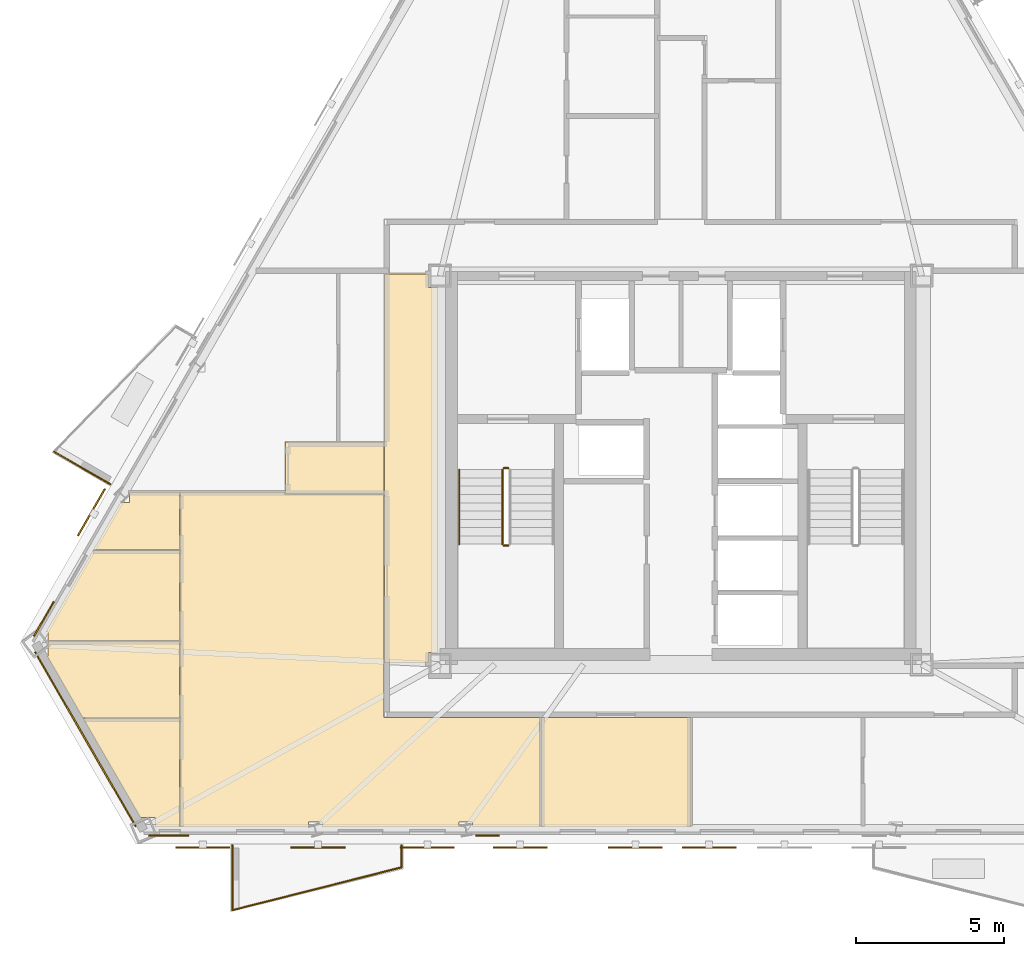
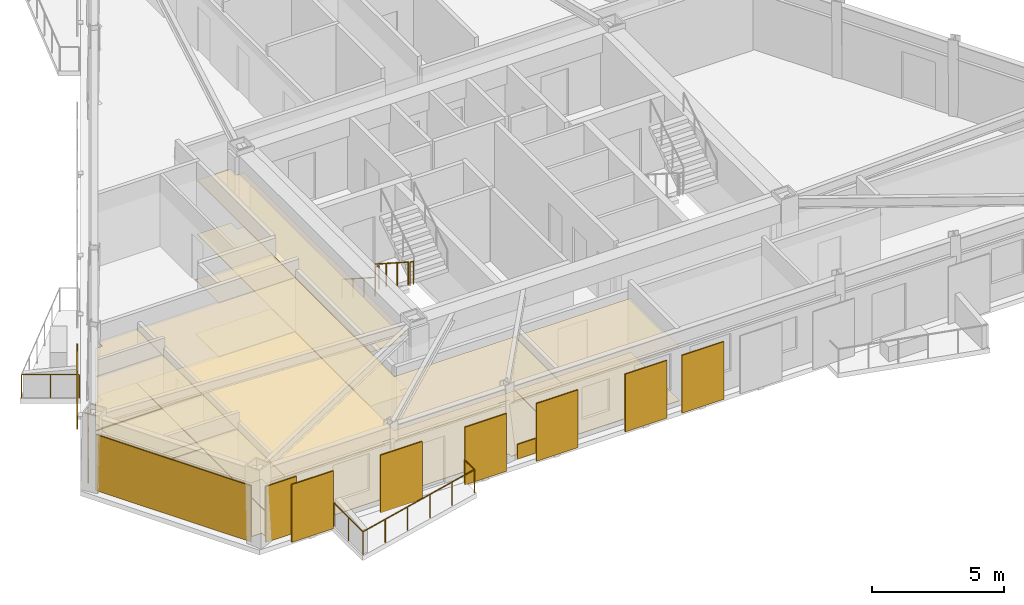
# One storey, part 6 of 9: 20 coverings, 8 railings, 7 shading devices.
"""IFC4 building model written with IfcOpenShell, lengths in metres."""

from ifc_helpers import new_model, si_unit, direction, frame, origin, origin_2d, place, context, subcontext, project, spatial, polyline, rectangle, circle, outline, extrude, material, layer, layer_set, type_object, element, save


model = new_model("IFC4")

# Units and contexts
model_context = context("Model", 3, precision=1e-05, world=origin(), true_north=direction((0.0, 1.0)))
body_context = subcontext(model_context, "Body", "Model", "MODEL_VIEW")
ifc_project = project(units=[si_unit("LENGTHUNIT", "METRE"), si_unit("AREAUNIT", "SQUARE_METRE"), si_unit("VOLUMEUNIT", "CUBIC_METRE"), si_unit("PLANEANGLEUNIT", "RADIAN"), si_unit("MASSUNIT", "GRAM", prefix="KILO")], contexts=[model_context])

# Site, building, storey
site_placement = place(None, origin())
site = spatial("IfcSite", under=ifc_project, at=site_placement, CompositionType="ELEMENT")
building_placement = place(site_placement, origin())
building = spatial("IfcBuilding", under=site, at=building_placement, Name="Oramaril Tower", CompositionType="ELEMENT")
storey_placement = place(building_placement, frame((0.0, 0.0, 201.0)))
storey = spatial("IfcBuildingStorey", under=building, at=storey_placement, Name="L53", CompositionType="ELEMENT", Elevation=201.0)

# Coverings
ifc_material_1 = material(Name="Mineral Fibre Acoustic Ceiling")
ifc_layer_1 = layer(ifc_material_1, 0.02001953125)
ifc_layer_set_1 = layer_set([ifc_layer_1], Name="CVT-CEIL")
covering_type_1 = type_object("IfcCoveringType", Name="CVT-CEIL", PredefinedType="CEILING", material=ifc_layer_set_1)
covering_1_placement = place(storey_placement, frame((0.0, 0.0, 2.511962890625)))
element("IfcCovering", 1, at=covering_1_placement, inside=storey, type_object=covering_type_1, Name="L53 Acoustic Suspended Ceiling 3", PredefinedType="CEILING", context=body_context, shape_type="SweptSolid", body=[
    extrude(outline(polyline([(28.955078125, 23.7548828125), (29.280029296875, 23.7548828125), (29.280029296875, 11.39501953125), (28.955078125, 11.39501953125), (28.955078125, 11.050048828125), (27.469970703125, 11.050048828125), (27.469970703125, 24.219970703125), (28.955078125, 24.219970703125), (28.955078125, 23.7548828125)])), origin(), (0.0, 0.0, 1.0), 0.02001953125),
])
covering_2_placement = place(storey_placement, frame((0.0, 0.0, 2.511962890625)))
element("IfcCovering", 2, at=covering_2_placement, inside=storey, type_object=covering_type_1, Name="L53 Acoustic Suspended Ceiling 5", PredefinedType="CEILING", context=body_context, shape_type="SweptSolid", body=[
    extrude(outline(polyline([(24.1201171875, 16.77001953125), (24.1201171875, 18.530029296875), (27.449951171875, 18.530029296875), (27.449951171875, 16.77001953125), (24.1201171875, 16.77001953125)])), origin(), (0.0, 0.0, 1.0), 0.02001953125),
])
covering_3_placement = place(storey_placement, frame((0.0, 0.0, 2.511962890625)))
element("IfcCovering", 3, at=covering_3_placement, inside=storey, type_object=covering_type_1, Name="L53 Acoustic Suspended Ceiling 6", PredefinedType="CEILING", context=body_context, shape_type="SweptSolid", body=[
    extrude(outline(polyline([(37.842041015625, 5.48876953125), (32.758056640625, 5.48876953125), (32.758056640625, 9.199951171875), (37.842041015625, 9.199951171875), (37.842041015625, 5.48876953125)])), origin(), (0.0, 0.0, 1.0), 0.02001953125),
])
covering_4_placement = place(storey_placement, frame((0.0, 0.0, 2.511962890625)))
element("IfcCovering", 4, at=covering_4_placement, inside=storey, type_object=covering_type_1, Name="L53 Acoustic Suspended Ceiling 9", PredefinedType="CEILING", context=body_context, shape_type="SweptSolid", body=[
    extrude(outline(polyline([(30.44921875, 5.48876953125), (30.44921875, 5.668701171875), (29.99853515625, 5.668701171875), (29.99853515625, 5.48876953125), (25.35986328125, 5.48876953125), (25.35986328125, 5.668701171875), (24.901123046875, 5.668701171875), (24.901123046875, 5.48876953125), (20.54541015625, 5.48876953125), (20.54541015625, 16.842041015625), (24.10009765625, 16.842041015625), (24.10009765625, 16.77001953125), (24.10009765625, 16.76806640625), (24.100341796875, 16.76611328125), (24.100830078125, 16.76416015625), (24.1015625, 16.76220703125), (24.102294921875, 16.760498046875), (24.103515625, 16.7587890625), (24.1044921875, 16.75732421875), (24.10595703125, 16.755859375), (24.107421875, 16.75439453125), (24.10888671875, 16.75341796875), (24.110595703125, 16.75244140625), (24.1123046875, 16.75146484375), (24.1142578125, 16.7509765625), (24.1162109375, 16.75048828125), (24.117919921875, 16.75), (24.1201171875, 16.75), (27.449951171875, 16.75), (27.449951171875, 11.050048828125), (27.4501953125, 11.048095703125), (27.450439453125, 11.046142578125), (27.450927734375, 11.044189453125), (27.451416015625, 11.042236328125), (27.452392578125, 11.04052734375), (27.45263671875, 11.0400390625), (27.452392578125, 11.039306640625), (27.451416015625, 11.03759765625), (27.450927734375, 11.035888671875), (27.450439453125, 11.033935546875), (27.4501953125, 11.031982421875), (27.449951171875, 11.030029296875), (27.449951171875, 9.219970703125), (27.4501953125, 9.218017578125), (27.450439453125, 9.216064453125), (27.450927734375, 9.214111328125), (27.451416015625, 9.21240234375), (27.452392578125, 9.210693359375), (27.453369140625, 9.208984375), (27.45458984375, 9.207275390625), (27.455810546875, 9.205810546875), (27.457275390625, 9.20458984375), (27.458984375, 9.203369140625), (27.460693359375, 9.202392578125), (27.46240234375, 9.201416015625), (27.464111328125, 9.200927734375), (27.466064453125, 9.200439453125), (27.468017578125, 9.2001953125), (27.469970703125, 9.199951171875), (32.738037109375, 9.199951171875), (32.738037109375, 5.48876953125), (30.44921875, 5.48876953125)])), origin(), (0.0, 0.0, 1.0), 0.02001953125),
])
covering_5_placement = place(storey_placement, frame((0.0, 0.0, 2.511962890625)))
element("IfcCovering", 5, at=covering_5_placement, inside=storey, type_object=covering_type_1, Name="L53 Acoustic Suspended Ceiling 10", PredefinedType="CEILING", context=body_context, shape_type="SweptSolid", body=[
    extrude(outline(polyline([(19.694091796875, 5.48876953125), (19.694091796875, 5.8193359375), (19.195556640625, 5.8193359375), (17.260986328125, 9.169921875), (20.525390625, 9.169921875), (20.525390625, 5.48876953125), (19.694091796875, 5.48876953125)])), origin(), (0.0, 0.0, 1.0), 0.02001953125),
])
covering_6_placement = place(storey_placement, frame((0.0, 0.0, 2.511962890625)))
element("IfcCovering", 6, at=covering_6_placement, inside=storey, type_object=covering_type_1, Name="L53 Acoustic Suspended Ceiling 11", PredefinedType="CEILING", context=body_context, shape_type="SweptSolid", body=[
    extrude(outline(polyline([(16.037109375, 11.28955078125), (16.07958984375, 11.28955078125), (16.07958984375, 11.79638671875), (20.525390625, 11.79638671875), (20.525390625, 9.18994140625), (17.260986328125, 9.18994140625), (17.259033203125, 9.189697265625), (17.257080078125, 9.189453125), (17.255126953125, 9.18896484375), (17.25341796875, 9.188232421875), (17.25146484375, 9.1875), (17.2509765625, 9.187255859375), (16.037109375, 11.28955078125)])), origin(), (0.0, 0.0, 1.0), 0.02001953125),
])
covering_7_placement = place(storey_placement, frame((0.0, 0.0, 2.511962890625)))
element("IfcCovering", 7, at=covering_7_placement, inside=storey, type_object=covering_type_1, Name="L53 Acoustic Suspended Ceiling 12", PredefinedType="CEILING", context=body_context, shape_type="SweptSolid", body=[
    extrude(outline(polyline([(16.07958984375, 12.0888671875), (16.0029296875, 12.0888671875), (17.59521484375, 14.846435546875), (20.525390625, 14.846435546875), (20.525390625, 11.81640625), (16.07958984375, 11.81640625), (16.07958984375, 12.0888671875)])), origin(), (0.0, 0.0, 1.0), 0.02001953125),
])
covering_8_placement = place(storey_placement, frame((0.0, 0.0, 2.511962890625)))
element("IfcCovering", 8, at=covering_8_placement, inside=storey, type_object=covering_type_1, Name="L53 Acoustic Suspended Ceiling 13", PredefinedType="CEILING", context=body_context, shape_type="SweptSolid", body=[
    extrude(outline(polyline([(18.541259765625, 16.485107421875), (18.842041015625, 16.485107421875), (18.842041015625, 16.842041015625), (20.525390625, 16.842041015625), (20.525390625, 14.866455078125), (17.606689453125, 14.866455078125), (18.541259765625, 16.485107421875)])), origin(), (0.0, 0.0, 1.0), 0.02001953125),
])
ifc_material_2 = material(Name="Warm Cream Limestone", Category="masonry")
ifc_layer_2 = layer(ifc_material_2, 0.050048828125)
ifc_layer_set_2 = layer_set([ifc_layer_2], Name="CVT-CLD")
covering_type_2 = type_object("IfcCoveringType", Name="CVT-CLD", PredefinedType="CLADDING", material=ifc_layer_set_2)
covering_9_placement = place(storey_placement, frame((17.348876953125, 8.4658203125, 0.0400390625), z_axis=(0.0, 0.0, 1.0), x_axis=(0.500010580459, -0.866019295067, 0.0)))
element("IfcCovering", 9, at=covering_9_placement, inside=storey, type_object=covering_type_2, Name="L53 Warm Cream Limestone Cladding", PredefinedType="CLADDING", context=body_context, shape_type="SweptSolid", body=[
    extrude(rectangle(XDim=6.818603515625, YDim=0.050048828125, at=origin_2d()), origin(), (0.0, 0.0, 1.0), 2.596923828125),
])
covering_10_placement = place(storey_placement, frame((20.174072265625, 5.212646484375, 0.0400390625), z_axis=(0.0, 0.0, 1.0), x_axis=(1.0, 0.0, 0.0)))
element("IfcCovering", 10, at=covering_10_placement, inside=storey, type_object=covering_type_2, Name="L53 Warm Cream Limestone Cladding", PredefinedType="CLADDING", context=body_context, shape_type="SweptSolid", body=[
    extrude(rectangle(XDim=1.35009765625, YDim=0.050048828125, at=origin_2d()), origin(), (0.0, 0.0, 1.0), 2.596923828125),
])
covering_11_placement = place(storey_placement, frame((30.956787109375, 5.212646484375, 0.0400390625), z_axis=(0.0, 0.0, 1.0), x_axis=(1.0, 0.0, 0.0)))
element("IfcCovering", 11, at=covering_11_placement, inside=storey, type_object=covering_type_2, Name="L53 Warm Cream Limestone Spandrel Cladding", PredefinedType="CLADDING", context=body_context, shape_type="SweptSolid", body=[
    extrude(rectangle(XDim=0.800048828125, YDim=0.050048828125, at=origin_2d()), origin(), (0.0, 0.0, 1.0), 0.679931640625),
])
covering_12_placement = place(storey_placement, frame((15.944091796875, 12.538818359375, 0.0400390625), z_axis=(0.0, 0.0, 1.0), x_axis=(-0.5, -0.866025403784, 0.0)))
element("IfcCovering", 12, at=covering_12_placement, inside=storey, type_object=covering_type_2, Name="L53 Warm Cream Limestone Cladding", PredefinedType="CLADDING", context=body_context, shape_type="SweptSolid", body=[
    extrude(rectangle(XDim=1.35009765625, YDim=0.050048828125, at=origin_2d()), origin(), (0.0, 0.0, 1.0), 2.596923828125),
])
ifc_material_3 = material(Name="Honed Quartzite Stone Flooring", Category="masonry")
ifc_layer_3 = layer(ifc_material_3, 0.02490234375)
ifc_layer_set_3 = layer_set([ifc_layer_3], Name="CVT-FLR")
covering_type_3 = type_object("IfcCoveringType", Name="CVT-FLR", PredefinedType="FLOORING", material=ifc_layer_set_3)
covering_13_placement = place(storey_placement, origin())
element("IfcCovering", 13, at=covering_13_placement, inside=storey, type_object=covering_type_3, Name="L53 Honed Stone Floor Finish 3", PredefinedType="FLOORING", context=body_context, shape_type="SweptSolid", body=[
    extrude(outline(polyline([(28.955078125, 23.7548828125), (29.280029296875, 23.7548828125), (29.280029296875, 11.39501953125), (28.955078125, 11.39501953125), (28.955078125, 11.050048828125), (27.469970703125, 11.050048828125), (27.469970703125, 24.219970703125), (28.955078125, 24.219970703125), (28.955078125, 23.7548828125)])), origin(), (0.0, 0.0, 1.0), 0.02490234375),
])
covering_14_placement = place(storey_placement, origin())
element("IfcCovering", 14, at=covering_14_placement, inside=storey, type_object=covering_type_3, Name="L53 Honed Stone Floor Finish 5", PredefinedType="FLOORING", context=body_context, shape_type="SweptSolid", body=[
    extrude(outline(polyline([(24.1201171875, 16.77001953125), (24.1201171875, 18.530029296875), (27.449951171875, 18.530029296875), (27.449951171875, 16.77001953125), (24.1201171875, 16.77001953125)])), origin(), (0.0, 0.0, 1.0), 0.02490234375),
])
covering_15_placement = place(storey_placement, origin())
element("IfcCovering", 15, at=covering_15_placement, inside=storey, type_object=covering_type_3, Name="L53 Honed Stone Floor Finish 6", PredefinedType="FLOORING", context=body_context, shape_type="SweptSolid", body=[
    extrude(outline(polyline([(37.842041015625, 5.48876953125), (32.758056640625, 5.48876953125), (32.758056640625, 9.199951171875), (37.842041015625, 9.199951171875), (37.842041015625, 5.48876953125)])), origin(), (0.0, 0.0, 1.0), 0.02490234375),
])
covering_16_placement = place(storey_placement, origin())
element("IfcCovering", 16, at=covering_16_placement, inside=storey, type_object=covering_type_3, Name="L53 Honed Stone Floor Finish 9", PredefinedType="FLOORING", context=body_context, shape_type="SweptSolid", body=[
    extrude(outline(polyline([(30.44921875, 5.48876953125), (30.44921875, 5.668701171875), (29.99853515625, 5.668701171875), (29.99853515625, 5.48876953125), (25.35986328125, 5.48876953125), (25.35986328125, 5.668701171875), (24.901123046875, 5.668701171875), (24.901123046875, 5.48876953125), (20.54541015625, 5.48876953125), (20.54541015625, 16.842041015625), (24.10009765625, 16.842041015625), (24.10009765625, 16.77001953125), (24.10009765625, 16.76806640625), (24.100341796875, 16.76611328125), (24.100830078125, 16.76416015625), (24.1015625, 16.76220703125), (24.102294921875, 16.760498046875), (24.103515625, 16.7587890625), (24.1044921875, 16.75732421875), (24.10595703125, 16.755859375), (24.107421875, 16.75439453125), (24.10888671875, 16.75341796875), (24.110595703125, 16.75244140625), (24.1123046875, 16.75146484375), (24.1142578125, 16.7509765625), (24.1162109375, 16.75048828125), (24.117919921875, 16.75), (24.1201171875, 16.75), (27.449951171875, 16.75), (27.449951171875, 11.050048828125), (27.4501953125, 11.048095703125), (27.450439453125, 11.046142578125), (27.450927734375, 11.044189453125), (27.451416015625, 11.042236328125), (27.452392578125, 11.04052734375), (27.45263671875, 11.0400390625), (27.452392578125, 11.039306640625), (27.451416015625, 11.03759765625), (27.450927734375, 11.035888671875), (27.450439453125, 11.033935546875), (27.4501953125, 11.031982421875), (27.449951171875, 11.030029296875), (27.449951171875, 9.219970703125), (27.4501953125, 9.218017578125), (27.450439453125, 9.216064453125), (27.450927734375, 9.214111328125), (27.451416015625, 9.21240234375), (27.452392578125, 9.210693359375), (27.453369140625, 9.208984375), (27.45458984375, 9.207275390625), (27.455810546875, 9.205810546875), (27.457275390625, 9.20458984375), (27.458984375, 9.203369140625), (27.460693359375, 9.202392578125), (27.46240234375, 9.201416015625), (27.464111328125, 9.200927734375), (27.466064453125, 9.200439453125), (27.468017578125, 9.2001953125), (27.469970703125, 9.199951171875), (32.738037109375, 9.199951171875), (32.738037109375, 5.48876953125), (30.44921875, 5.48876953125)])), origin(), (0.0, 0.0, 1.0), 0.02490234375),
])
covering_17_placement = place(storey_placement, origin())
element("IfcCovering", 17, at=covering_17_placement, inside=storey, type_object=covering_type_3, Name="L53 Honed Stone Floor Finish 10", PredefinedType="FLOORING", context=body_context, shape_type="SweptSolid", body=[
    extrude(outline(polyline([(19.694091796875, 5.48876953125), (19.694091796875, 5.8193359375), (19.195556640625, 5.8193359375), (17.260986328125, 9.169921875), (20.525390625, 9.169921875), (20.525390625, 5.48876953125), (19.694091796875, 5.48876953125)])), origin(), (0.0, 0.0, 1.0), 0.02490234375),
])
covering_18_placement = place(storey_placement, origin())
element("IfcCovering", 18, at=covering_18_placement, inside=storey, type_object=covering_type_3, Name="L53 Honed Stone Floor Finish 11", PredefinedType="FLOORING", context=body_context, shape_type="SweptSolid", body=[
    extrude(outline(polyline([(16.037109375, 11.28955078125), (16.07958984375, 11.28955078125), (16.07958984375, 11.79638671875), (20.525390625, 11.79638671875), (20.525390625, 9.18994140625), (17.260986328125, 9.18994140625), (17.259033203125, 9.189697265625), (17.257080078125, 9.189453125), (17.255126953125, 9.18896484375), (17.25341796875, 9.188232421875), (17.25146484375, 9.1875), (17.2509765625, 9.187255859375), (16.037109375, 11.28955078125)])), origin(), (0.0, 0.0, 1.0), 0.02490234375),
])
covering_19_placement = place(storey_placement, origin())
element("IfcCovering", 19, at=covering_19_placement, inside=storey, type_object=covering_type_3, Name="L53 Honed Stone Floor Finish 12", PredefinedType="FLOORING", context=body_context, shape_type="SweptSolid", body=[
    extrude(outline(polyline([(16.07958984375, 12.0888671875), (16.0029296875, 12.0888671875), (17.59521484375, 14.846435546875), (20.525390625, 14.846435546875), (20.525390625, 11.81640625), (16.07958984375, 11.81640625), (16.07958984375, 12.0888671875)])), origin(), (0.0, 0.0, 1.0), 0.02490234375),
])
covering_20_placement = place(storey_placement, origin())
element("IfcCovering", 20, at=covering_20_placement, inside=storey, type_object=covering_type_3, Name="L53 Honed Stone Floor Finish 13", PredefinedType="FLOORING", context=body_context, shape_type="SweptSolid", body=[
    extrude(outline(polyline([(18.541259765625, 16.485107421875), (18.842041015625, 16.485107421875), (18.842041015625, 16.842041015625), (20.525390625, 16.842041015625), (20.525390625, 14.866455078125), (17.606689453125, 14.866455078125), (18.541259765625, 16.485107421875)])), origin(), (0.0, 0.0, 1.0), 0.02490234375),
])

# Railings
ifc_material_4 = material(Name="Stainless Steel 316L", Category="steel")
railing_type_1 = type_object("IfcRailingType", Name="RLT-GRD", PredefinedType="GUARDRAIL", material=ifc_material_4)
railing_1_placement = place(storey_placement, frame((28.048583984375, 4.872802734375, 0.0)))
element("IfcRailing", 21, at=railing_1_placement, inside=storey, type_object=railing_type_1, Name="L53 Balcony Guardrail L53-BAL-S1.1", PredefinedType="GUARDRAIL", context=body_context, shape_type="SweptSolid", body=[
    extrude(circle(Radius=0.02392578125, at=origin_2d()), frame((0.0, 0.0, 1.076171875), z_axis=(0.0, -1.0, 0.0), x_axis=(1.0, 0.0, 0.0)), (0.0, 0.0, 1.0), 0.7421875),
    extrude(circle(Radius=0.02099609375, at=origin_2d()), origin(), (0.0, 0.0, 1.0), 1.052001953125),
    extrude(circle(Radius=0.02099609375, at=origin_2d()), frame((0.0, -0.7421875, 0.0)), (0.0, 0.0, 1.0), 1.052001953125),
])
railing_2_placement = place(storey_placement, frame((28.048583984375, 4.130615234375, 0.0)))
element("IfcRailing", 22, at=railing_2_placement, inside=storey, type_object=railing_type_1, Name="L53 Balcony Guardrail L53-BAL-S1.2", PredefinedType="GUARDRAIL", context=body_context, shape_type="SweptSolid", body=[
    extrude(circle(Radius=0.02392578125, at=origin_2d()), frame((0.0, 0.0, 1.076171875), z_axis=(-0.969443611257, -0.245314256807, 0.0), x_axis=(0.245314256807, -0.969443611257, 0.0)), (0.0, 0.0, 1.0), 5.91064453125),
    extrude(circle(Radius=0.02099609375, at=origin_2d()), origin(), (0.0, 0.0, 1.0), 1.052001953125),
    extrude(circle(Radius=0.02099609375, at=origin_2d()), frame((-1.14599609375, -0.2900390625, 0.0)), (0.0, 0.0, 1.0), 1.052001953125),
    extrude(circle(Radius=0.02099609375, at=origin_2d()), frame((-2.2919921875, -0.580078125, 0.0)), (0.0, 0.0, 1.0), 1.052001953125),
    extrude(circle(Radius=0.02099609375, at=origin_2d()), frame((-3.43798828125, -0.869873046875, 0.0)), (0.0, 0.0, 1.0), 1.052001953125),
    extrude(circle(Radius=0.02099609375, at=origin_2d()), frame((-4.583984375, -1.159912109375, 0.0)), (0.0, 0.0, 1.0), 1.052001953125),
    extrude(circle(Radius=0.02099609375, at=origin_2d()), frame((-5.72998046875, -1.449951171875, 0.0)), (0.0, 0.0, 1.0), 1.052001953125),
])
railing_3_placement = place(storey_placement, frame((22.318603515625, 2.6806640625, 0.0)))
element("IfcRailing", 23, at=railing_3_placement, inside=storey, type_object=railing_type_1, Name="L53 Balcony Guardrail L53-BAL-S1.3", PredefinedType="GUARDRAIL", context=body_context, shape_type="SweptSolid", body=[
    extrude(circle(Radius=0.02392578125, at=origin_2d()), frame((0.0, 0.0, 1.076171875), z_axis=(0.0, 1.0, 0.0), x_axis=(-1.0, 0.0, 0.0)), (0.0, 0.0, 1.0), 2.192138671875),
    extrude(circle(Radius=0.02099609375, at=origin_2d()), origin(), (0.0, 0.0, 1.0), 1.052001953125),
    extrude(circle(Radius=0.02099609375, at=origin_2d()), frame((0.0, 1.09619140625, 0.0)), (0.0, 0.0, 1.0), 1.052001953125),
    extrude(circle(Radius=0.02099609375, at=origin_2d()), frame((0.0, 2.192138671875, 0.0)), (0.0, 0.0, 1.0), 1.052001953125),
])
railing_4_placement = place(storey_placement, frame((18.184326171875, 17.09912109375, 0.0)))
element("IfcRailing", 24, at=railing_4_placement, inside=storey, type_object=railing_type_1, Name="L53 Balcony Guardrail L53-BAL-NW2.1", PredefinedType="GUARDRAIL", context=body_context, shape_type="SweptSolid", body=[
    extrude(circle(Radius=0.02392578125, at=origin_2d()), frame((0.0, 0.0, 1.076171875), z_axis=(-0.865972267571, 0.50009202333, 0.0), x_axis=(-0.50009202333, -0.865972267571, 0.0)), (0.0, 0.0, 1.0), 2.19189453125),
    extrude(circle(Radius=0.02099609375, at=origin_2d()), origin(), (0.0, 0.0, 1.0), 1.052001953125),
    extrude(circle(Radius=0.02099609375, at=origin_2d()), frame((-0.94921875, 0.548095703125, 0.0)), (0.0, 0.0, 1.0), 1.052001953125),
    extrude(circle(Radius=0.02099609375, at=origin_2d()), frame((-1.898193359375, 1.09619140625, 0.0)), (0.0, 0.0, 1.0), 1.052001953125),
])
railing_5_placement = place(storey_placement, frame((31.4599609375, 17.590087890625, 0.179931640625)))
element("IfcRailing", 25, at=railing_5_placement, inside=storey, type_object=railing_type_1, Name="L53 ST-1 stair guard 1", PredefinedType="GUARDRAIL", context=body_context, shape_type="SweptSolid", body=[
    extrude(circle(Radius=0.02392578125, at=origin_2d()), frame((0.0, 0.0, 1.076171875), z_axis=(0.0, -0.841162588446, 0.540782303519), x_axis=(1.0, 0.0, 0.0)), (0.0, 0.0, 1.0), 2.995849609375),
    extrude(circle(Radius=0.02099609375, at=origin_2d()), origin(), (0.0, 0.0, 1.0), 1.052001953125),
    extrude(circle(Radius=0.02099609375, at=origin_2d()), frame((0.0, -0.840087890625, 0.5400390625)), (0.0, 0.0, 1.0), 1.052001953125),
    extrude(circle(Radius=0.02099609375, at=origin_2d()), frame((0.0, -1.679931640625, 1.080078125)), (0.0, 0.0, 1.0), 1.052001953125),
    extrude(circle(Radius=0.02099609375, at=origin_2d()), frame((0.0, -2.52001953125, 1.6201171875)), (0.0, 0.0, 1.0), 1.052001953125),
])
for number, where, name in (
    (26, (31.510009765625, 15.02001953125, 1.800048828125), "L53 ST-1 stair guard 2"),
    (27, (31.510009765625, 17.639892578125, 0.0), "L53 ST-1 stair guard 4"),
):
    element("IfcRailing", number, at=place(storey_placement, frame(where)), inside=storey, type_object=railing_type_1, Name=name, PredefinedType="GUARDRAIL", context=body_context, shape_type="SweptSolid", body=[
        extrude(circle(Radius=0.02392578125, at=origin_2d()), frame((0.0, 0.0, 1.076171875), z_axis=(1.0, 0.0, 0.0), x_axis=(0.0, 1.0, 0.0)), (0.0, 0.0, 1.0), 0.14990234375),
        extrude(circle(Radius=0.02099609375, at=origin_2d()), origin(), (0.0, 0.0, 1.0), 1.052001953125),
        extrude(circle(Radius=0.02099609375, at=origin_2d()), frame((0.14990234375, 0.0, 0.0)), (0.0, 0.0, 1.0), 1.052001953125),
    ])
ifc_material_5 = material(Name="Stainless Steel 316L", Category="steel")
railing_type_2 = type_object("IfcRailingType", Name="RLT-HND", PredefinedType="HANDRAIL", material=ifc_material_5)
railing_6_placement = place(storey_placement, frame((30.0, 17.590087890625, 0.179931640625)))
element("IfcRailing", 28, at=railing_6_placement, inside=storey, type_object=railing_type_2, Name="L53 ST-1 stair handrail 1", PredefinedType="HANDRAIL", context=body_context, shape_type="SweptSolid", body=[
    extrude(circle(Radius=0.02392578125, at=origin_2d()), frame((0.0, 0.0, 0.8759765625), z_axis=(0.0, -0.841162588446, 0.540782303519), x_axis=(1.0, 0.0, 0.0)), (0.0, 0.0, 1.0), 2.995849609375),
    extrude(circle(Radius=0.02099609375, at=origin_2d()), origin(), (0.0, 0.0, 1.0), 0.851806640625),
    extrude(circle(Radius=0.02099609375, at=origin_2d()), frame((0.0, -0.840087890625, 0.5400390625)), (0.0, 0.0, 1.0), 0.851806640625),
    extrude(circle(Radius=0.02099609375, at=origin_2d()), frame((0.0, -1.679931640625, 1.080078125)), (0.0, 0.0, 1.0), 0.851806640625),
    extrude(circle(Radius=0.02099609375, at=origin_2d()), frame((0.0, -2.52001953125, 1.6201171875)), (0.0, 0.0, 1.0), 0.851806640625),
])

# Shading devices
for number, where, z_axis, x_axis, name in (
    (29, (32.0595703125, 4.80078125, -0.02001953125), (0.0, 0.0, 1.0), (1.0, 0.0, 0.0), "L53 Perforated Ceramic Solar Screen"),
    (30, (35.959716796875, 4.80078125, -0.02001953125), (0.0, 0.0, 1.0), (1.0, 0.0, 0.0), "L53 Perforated Ceramic Solar Screen"),
    (31, (38.455078125, 4.80078125, -0.02001953125), (0.0, 0.0, 1.0), (1.0, 0.0, 0.0), "L53 Perforated Ceramic Solar Screen"),
    (32, (21.318603515625, 4.80078125, -0.02001953125), (0.0, 0.0, 1.0), (1.0, 0.0, 0.0), "L53 Perforated Ceramic Solar Screen"),
    (33, (25.218505859375, 4.80078125, -0.02001953125), (0.0, 0.0, 1.0), (1.0, 0.0, 0.0), "L53 Perforated Ceramic Solar Screen"),
    (34, (28.9208984375, 4.80078125, -0.02001953125), (0.0, 0.0, 1.0), (1.0, 0.0, 0.0), "L53 Perforated Ceramic Solar Screen"),
    (35, (17.55126953125, 16.146484375, -0.02001953125), (0.0, 0.0, 1.0), (-0.5, -0.866025403784, 0.0), "L53 Perforated Ceramic Solar Screen"),
):
    element("IfcShadingDevice", number, at=place(storey_placement, frame(where, z_axis=z_axis, x_axis=x_axis)), inside=storey, Name=name, ObjectType="SCREEN", PredefinedType="USERDEFINED", context=body_context, shape_type="SweptSolid", body=[
        extrude(rectangle(XDim=1.8330078125, YDim=0.050048828125, at=origin_2d()), origin(), (0.0, 0.0, 1.0), 2.677001953125),
    ])

save(model, "model.ifc")
